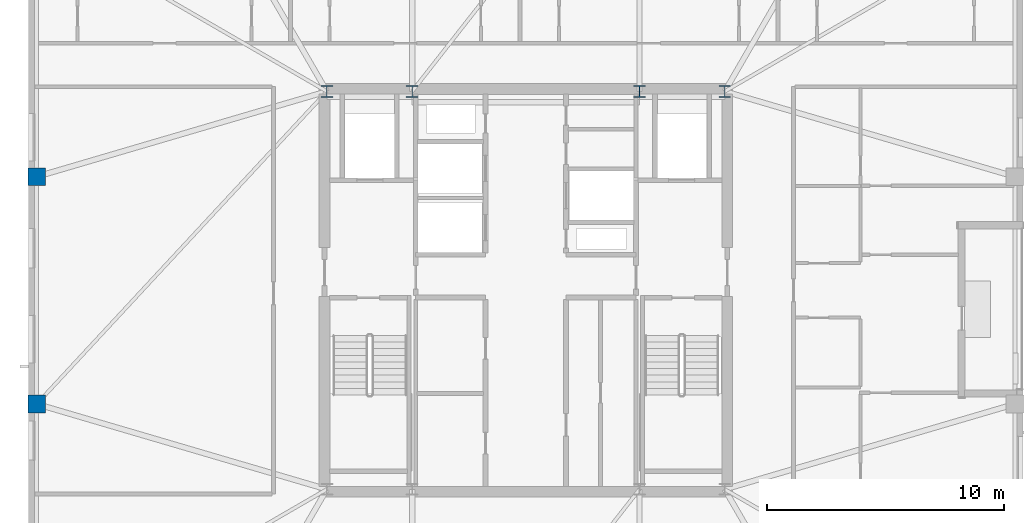
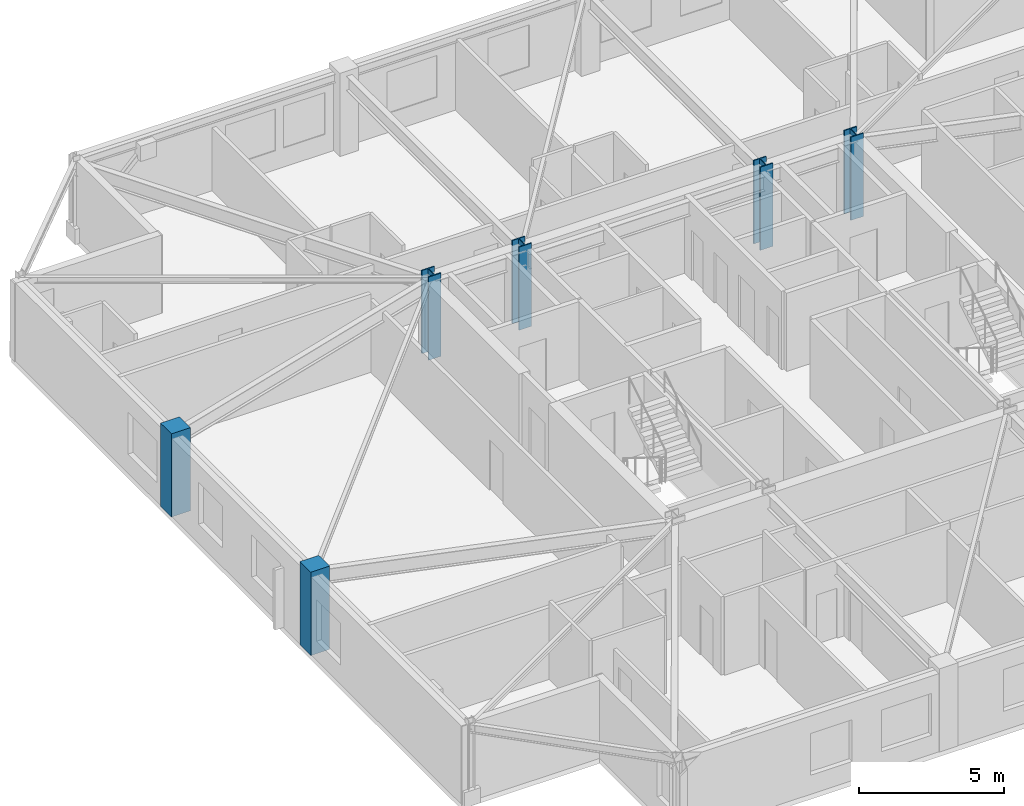
# One storey, part 2 of 14: 6 columns.
"""IFC4 building model written with IfcOpenShell, lengths in metres."""

from ifc_helpers import new_model, si_unit, direction, frame, origin, origin_2d, place, context, subcontext, project, spatial, rectangle, i_section, extrude, material, material_profile, profile_set, type_object, element, save


model = new_model("IFC4")

# Units and contexts
model_context = context("Model", 3, precision=1e-05, world=origin(), true_north=direction((0.0, 1.0)))
body_context = subcontext(model_context, "Body", "Model", "MODEL_VIEW")
ifc_project = project(units=[si_unit("LENGTHUNIT", "METRE"), si_unit("AREAUNIT", "SQUARE_METRE"), si_unit("VOLUMEUNIT", "CUBIC_METRE"), si_unit("PLANEANGLEUNIT", "RADIAN"), si_unit("MASSUNIT", "GRAM", prefix="KILO")], contexts=[model_context])

# Site, building, storey
site_placement = place(None, origin())
site = spatial("IfcSite", under=ifc_project, at=site_placement, CompositionType="ELEMENT")
building_placement = place(site_placement, origin())
building = spatial("IfcBuilding", under=site, at=building_placement, Name="Cairnveth Concourse Tower", CompositionType="ELEMENT")
storey_placement = place(building_placement, frame((0.0, 0.0, 301.5)))
storey = spatial("IfcBuildingStorey", under=building, at=storey_placement, Name="L83", CompositionType="ELEMENT", Elevation=301.5)

# Columns
ifc_material_1 = material(Name="Concrete N50 (50 MPa)", Category="concrete")
ifc_material_profile_1 = material_profile(ifc_material_1, rectangle(XDim=0.75, YDim=0.75, at=origin_2d()), Name="RC-COL-750x750")
ifc_profile_set_1 = profile_set([ifc_material_profile_1], Name="Concrete N50 (50 MPa)")
column_type_1 = type_object("IfcColumnType", Name="PERIMETER PIER COLUMN 750X750", PredefinedType="COLUMN", material=ifc_profile_set_1)
for number, where, z_axis, x_axis, name in (
    (1, (31.35009765625, 43.800048828125, 0.0), (0.0, 0.0, 1.0), (0.0, 1.0, 0.0), "Column P-W2 L83"),
    (2, (31.35009765625, 34.199951171875, 0.0), (0.0, 0.0, 1.0), (0.0, 1.0, 0.0), "Column P-W3 L83"),
):
    element("IfcColumn", number, at=place(storey_placement, frame(where, z_axis=z_axis, x_axis=x_axis)), inside=storey, type_object=column_type_1, Name=name, PredefinedType="COLUMN", context=body_context, shape_type="SweptSolid", body=[
        extrude(rectangle(XDim=0.75, YDim=0.75, at=origin_2d()), origin(), (0.0, 0.0, 1.0), 3.5),
    ])
ifc_material_2 = material(Name="Steel Grade 350", Category="steel")
ifc_material_profile_2 = material_profile(ifc_material_2, i_section(OverallWidth=0.5, OverallDepth=0.5, WebThickness=0.028076171875, FlangeThickness=0.044921875, at=origin_2d()), Name="500WC383")
ifc_profile_set_2 = profile_set([ifc_material_profile_2], Name="Steel Grade 350")
column_type_2 = type_object("IfcColumnType", Name="WELDED STEEL COLUMN 500WC383", PredefinedType="COLUMN", material=ifc_profile_set_2)
for number, where, z_axis, x_axis, name in (
    (3, (43.60009765625, 47.39990234375, 0.0), (0.0, 0.0, 1.0), (1.0, 0.0, 0.0), "Column CC5 L83"),
    (4, (47.199951171875, 47.39990234375, 0.0), (0.0, 0.0, 1.0), (1.0, 0.0, 0.0), "Column CC6 L83"),
    (5, (56.800048828125, 47.39990234375, 0.0), (0.0, 0.0, 1.0), (1.0, 0.0, 0.0), "Column CC7 L83"),
    (6, (60.39990234375, 47.39990234375, 0.0), (0.0, 0.0, 1.0), (1.0, 0.0, 0.0), "Column CC8 L83"),
):
    element("IfcColumn", number, at=place(storey_placement, frame(where, z_axis=z_axis, x_axis=x_axis)), inside=storey, type_object=column_type_2, Name=name, PredefinedType="COLUMN", context=body_context, shape_type="SweptSolid", body=[
        extrude(i_section(OverallWidth=0.5, OverallDepth=0.5, WebThickness=0.028076171875, FlangeThickness=0.044921875, at=origin_2d()), origin(), (0.0, 0.0, 1.0), 3.5),
    ])

save(model, "model.ifc")
